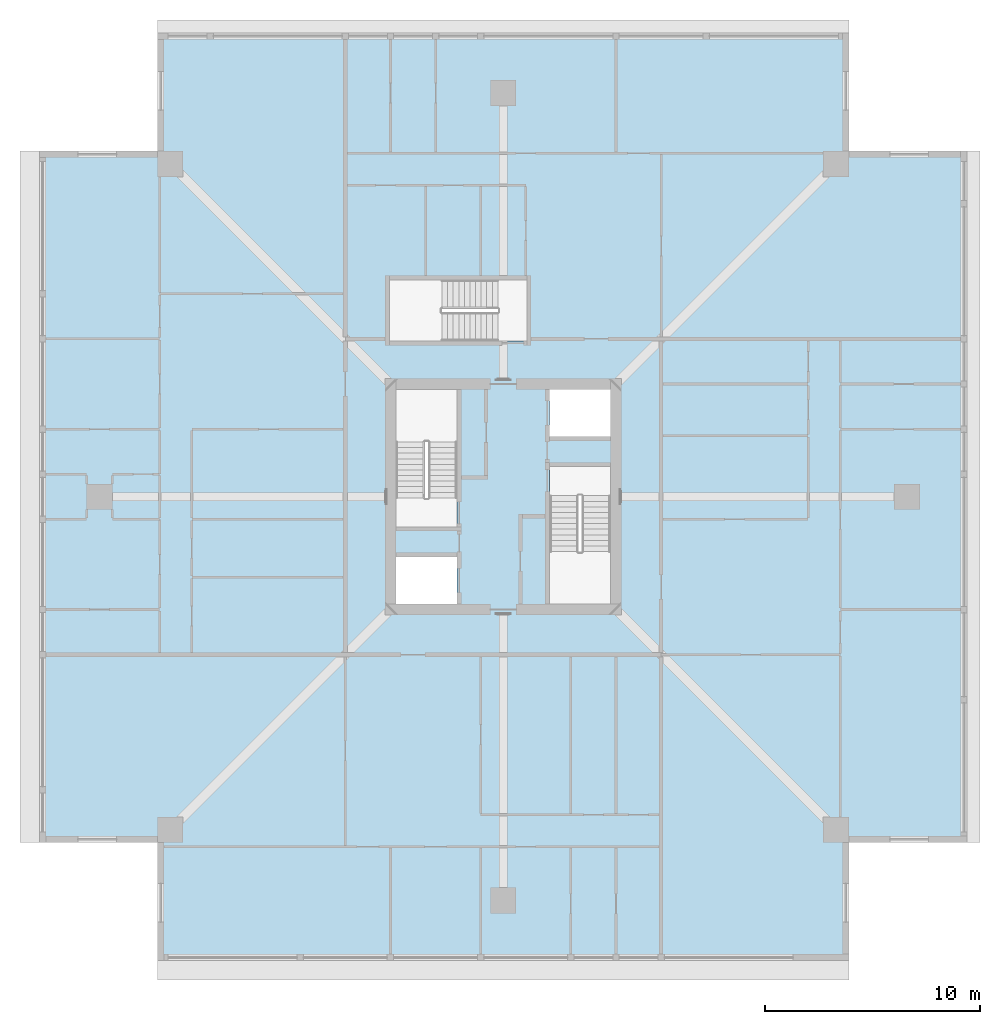
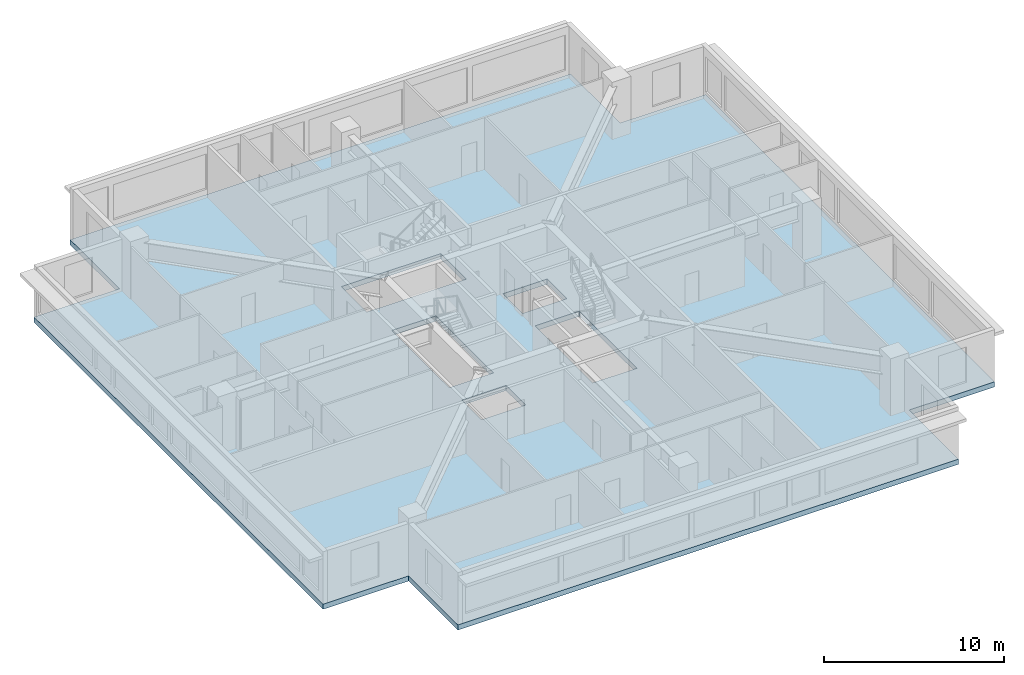
# One storey, part 3 of 12: 1 slab.
"""IFC4 building model written with IfcOpenShell, lengths in metres."""

from ifc_helpers import new_model, si_unit, direction, frame, origin, place, context, subcontext, project, spatial, polyline, outline, extrude, material, layer, layer_set, type_object, element, save


model = new_model("IFC4")

# Units and contexts
model_context = context("Model", 3, precision=1e-05, world=origin(), true_north=direction((0.0, 1.0)))
body_context = subcontext(model_context, "Body", "Model", "MODEL_VIEW")
ifc_project = project(units=[si_unit("LENGTHUNIT", "METRE"), si_unit("AREAUNIT", "SQUARE_METRE"), si_unit("VOLUMEUNIT", "CUBIC_METRE"), si_unit("PLANEANGLEUNIT", "RADIAN"), si_unit("MASSUNIT", "GRAM", prefix="KILO")], contexts=[model_context])

# Site, building, storey
site_placement = place(None, origin())
site = spatial("IfcSite", under=ifc_project, at=site_placement, CompositionType="ELEMENT")
building_placement = place(site_placement, origin())
building = spatial("IfcBuilding", under=site, at=building_placement, Name="Khepri Terraces", CompositionType="ELEMENT")
storey_placement = place(building_placement, frame((0.0, 0.0, 296.699951171875)))
storey = spatial("IfcBuildingStorey", under=building, at=storey_placement, Name="L71", CompositionType="ELEMENT", Elevation=296.699951171875)

# Slab
ifc_material = material(Name="Concrete C40/50", Category="concrete")
ifc_layer = layer(ifc_material, 0.35009765625, Name="Concrete C40/50", Category="concrete")
ifc_layer_set = layer_set([ifc_layer], Name="Concrete C40/50")
slab_type = type_object("IfcSlabType", Name="Crown floor slab 350", PredefinedType="FLOOR", material=ifc_layer_set)
slab_placement = place(storey_placement, frame((0.0, 0.0, -0.349853515625)))
element("IfcSlab", 1, at=slab_placement, inside=storey, type_object=slab_type, Name="Floor slab F01 L71", PredefinedType="FLOOR", context=body_context, shape_type="SweptSolid", body=[
    extrude(outline(polyline([(-21.60009765625, -16.10009765625), (-21.60009765625, 16.10009765625), (-16.10009765625, 16.10009765625), (-16.10009765625, 21.60009765625), (16.10009765625, 21.60009765625), (16.10009765625, 16.10009765625), (21.60009765625, 16.10009765625), (21.60009765625, -16.10009765625), (16.10009765625, -16.10009765625), (16.10009765625, -21.60009765625), (-16.10009765625, -21.60009765625), (-16.10009765625, -16.10009765625), (-21.60009765625, -16.10009765625)]), holes=[polyline([(5.0, 5.0), (2.14990234375, 5.0), (2.14990234375, 2.800048828125), (5.0, 2.800048828125), (5.0, 5.0)]), polyline([(-2.14990234375, -5.0), (-2.14990234375, -2.800048828125), (-5.0, -2.800048828125), (-5.0, -5.0), (-2.14990234375, -5.0)]), polyline([(-5.0, -1.39990234375), (-2.14990234375, -1.39990234375), (-2.14990234375, 5.0), (-5.0, 5.0), (-5.0, -1.39990234375)]), polyline([(5.0, -5.0), (5.0, 1.39990234375), (2.14990234375, 1.39990234375), (2.14990234375, -5.0), (5.0, -5.0)]), polyline([(-5.300048828125, 10.10009765625), (-5.300048828125, 7.25), (1.10009765625, 7.25), (1.10009765625, 10.10009765625), (-5.300048828125, 10.10009765625)])]), origin(), (0.0, 0.0, 1.0), 0.349853515625),
])

save(model, "model.ifc")
